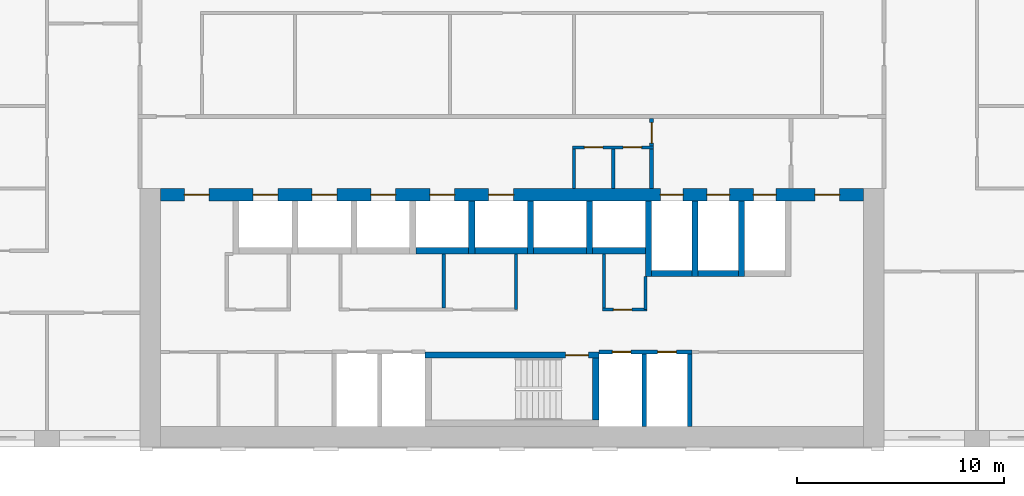
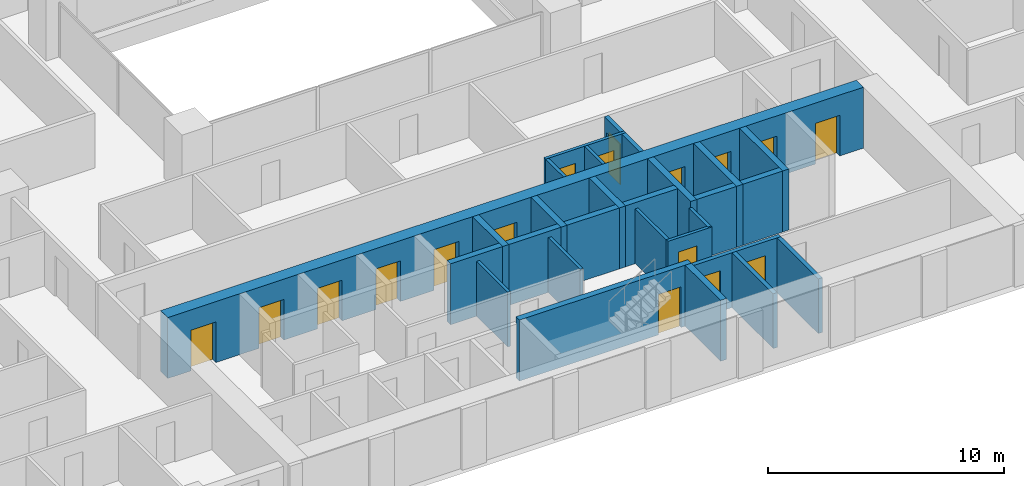
# One storey, part 11 of 20: 28 walls, 17 doors, 17 openings.
"""IFC4 building model written with IfcOpenShell, lengths in metres."""

from ifc_helpers import new_model, si_unit, direction, frame, frame_2d, origin, place, context, subcontext, project, spatial, rectangle, extrude, material, layer, layer_set, type_object, element, fill, save


model = new_model("IFC4")

# Units and contexts
model_context = context("Model", 3, precision=1e-05, world=origin(), true_north=direction((0.0, 1.0)))
body_context = subcontext(model_context, "Body", "Model", "MODEL_VIEW")
ifc_project = project(units=[si_unit("LENGTHUNIT", "METRE"), si_unit("AREAUNIT", "SQUARE_METRE"), si_unit("VOLUMEUNIT", "CUBIC_METRE"), si_unit("PLANEANGLEUNIT", "RADIAN"), si_unit("MASSUNIT", "GRAM", prefix="KILO")], contexts=[model_context])

# Site, building, storey
site_placement = place(None, origin())
site = spatial("IfcSite", under=ifc_project, at=site_placement, CompositionType="ELEMENT")
building_placement = place(site_placement, origin())
building = spatial("IfcBuilding", under=site, at=building_placement, Name="Brigalow Station Residences", CompositionType="ELEMENT")
storey_placement = place(building_placement, frame((0.0, 0.0, 54.14990234375)))
storey = spatial("IfcBuildingStorey", under=building, at=storey_placement, Name="L15", CompositionType="ELEMENT", Elevation=54.14990234375)

# Walls
ifc_material_1 = material(Name="Concrete C80", Category="concrete")
ifc_layer_1 = layer(ifc_material_1, 0.300048828125)
ifc_layer_set_1 = layer_set([ifc_layer_1], Name="CORE SHEAR WALL 300 C80")
wall_type_1 = type_object("IfcWallType", Name="CORE SHEAR WALL 300 C80", PredefinedType="SHEAR", material=ifc_layer_set_1)
wall_1_placement = place(storey_placement, frame((31.35009765625, 9.5, 0.0), z_axis=(0.0, 0.0, 1.0), x_axis=(1.0, 0.0, 0.0)))
element("IfcWall", 1, at=wall_1_placement, inside=storey, type_object=wall_type_1, Name="CORE WALL SH-P4-S L15", PredefinedType="SHEAR", context=body_context, shape_type="SweptSolid", body=[
    extrude(rectangle(XDim=2.5498046875, YDim=0.300048828125, at=frame_2d((1.27490234375, 0.0))), origin(), (0.0, 0.0, 1.0), 3.150146484375),
])
wall_2_placement = place(storey_placement, frame((34.199951171875, 9.5, 0.0), z_axis=(0.0, 0.0, 1.0), x_axis=(1.0, 0.0, 0.0)))
element("IfcWall", 2, at=wall_2_placement, inside=storey, type_object=wall_type_1, Name="CORE WALL SH-P5-S L15", PredefinedType="SHEAR", context=body_context, shape_type="SweptSolid", body=[
    extrude(rectangle(XDim=2.550048828125, YDim=0.300048828125, at=frame_2d((1.27490234375, 0.0))), origin(), (0.0, 0.0, 1.0), 3.150146484375),
])
wall_3_placement = place(storey_placement, frame((34.050048828125, 9.35009765625, 0.0), z_axis=(0.0, 0.0, 1.0), x_axis=(0.0, 1.0, 0.0)))
element("IfcWall", 3, at=wall_3_placement, inside=storey, type_object=wall_type_1, Name="CORE WALL SH-P5-W L15", PredefinedType="SHEAR", context=body_context, shape_type="SweptSolid", body=[
    extrude(rectangle(XDim=2.5498046875, YDim=0.300048828125, at=frame_2d((1.27490234375, 0.0))), origin(), (0.0, 0.0, 1.0), 3.150146484375),
])
wall_4_placement = place(storey_placement, frame((37.050048828125, 9.5, 0.0), z_axis=(0.0, 0.0, 1.0), x_axis=(1.0, 0.0, 0.0)))
element("IfcWall", 4, at=wall_4_placement, inside=storey, type_object=wall_type_1, Name="CORE WALL SH-X1-S L15", PredefinedType="SHEAR", context=body_context, shape_type="SweptSolid", body=[
    extrude(rectangle(XDim=2.550048828125, YDim=0.300048828125, at=frame_2d((1.27490234375, 0.0))), origin(), (0.0, 0.0, 1.0), 3.150146484375),
])
wall_5_placement = place(storey_placement, frame((36.89990234375, 9.35009765625, 0.0), z_axis=(0.0, 0.0, 1.0), x_axis=(0.0, 1.0, 0.0)))
element("IfcWall", 5, at=wall_5_placement, inside=storey, type_object=wall_type_1, Name="CORE WALL SH-X1-W L15", PredefinedType="SHEAR", context=body_context, shape_type="SweptSolid", body=[
    extrude(rectangle(XDim=2.5498046875, YDim=0.300048828125, at=frame_2d((1.27490234375, 0.0))), origin(), (0.0, 0.0, 1.0), 3.150146484375),
])
wall_6_placement = place(storey_placement, frame((39.89990234375, 9.5, 0.0), z_axis=(0.0, 0.0, 1.0), x_axis=(1.0, 0.0, 0.0)))
element("IfcWall", 6, at=wall_6_placement, inside=storey, type_object=wall_type_1, Name="CORE WALL SH-X2-S L15", PredefinedType="SHEAR", context=body_context, shape_type="SweptSolid", body=[
    extrude(rectangle(XDim=2.550048828125, YDim=0.300048828125, at=frame_2d((1.27490234375, 0.0))), origin(), (0.0, 0.0, 1.0), 3.150146484375),
])
wall_7_placement = place(storey_placement, frame((39.75, 9.35009765625, 0.0), z_axis=(0.0, 0.0, 1.0), x_axis=(0.0, 1.0, 0.0)))
element("IfcWall", 7, at=wall_7_placement, inside=storey, type_object=wall_type_1, Name="CORE WALL SH-X2-W L15", PredefinedType="SHEAR", context=body_context, shape_type="SweptSolid", body=[
    extrude(rectangle(XDim=2.5498046875, YDim=0.300048828125, at=frame_2d((1.27490234375, 0.0))), origin(), (0.0, 0.0, 1.0), 3.150146484375),
])
wall_8_placement = place(storey_placement, frame((42.75, 8.39990234375, 0.0), z_axis=(0.0, 0.0, 1.0), x_axis=(1.0, 0.0, 0.0)))
element("IfcWall", 8, at=wall_8_placement, inside=storey, type_object=wall_type_1, Name="CORE WALL SH-FF1-S L15", PredefinedType="SHEAR", context=body_context, shape_type="SweptSolid", body=[
    extrude(rectangle(XDim=1.949951171875, YDim=0.300048828125, at=frame_2d((0.97509765625, 0.0))), origin(), (0.0, 0.0, 1.0), 3.150146484375),
])
wall_9_placement = place(storey_placement, frame((42.60009765625, 8.25, 0.0), z_axis=(0.0, 0.0, 1.0), x_axis=(0.0, 1.0, 0.0)))
element("IfcWall", 9, at=wall_9_placement, inside=storey, type_object=wall_type_1, Name="CORE WALL SH-FF1-W L15", PredefinedType="SHEAR", context=body_context, shape_type="SweptSolid", body=[
    extrude(rectangle(XDim=3.64990234375, YDim=0.300048828125, at=frame_2d((1.824951171875, 0.0))), origin(), (0.0, 0.0, 1.0), 3.150146484375),
])
wall_10_placement = place(storey_placement, frame((45.0, 8.39990234375, 0.0), z_axis=(0.0, 0.0, 1.0), x_axis=(1.0, 0.0, 0.0)))
element("IfcWall", 10, at=wall_10_placement, inside=storey, type_object=wall_type_1, Name="CORE WALL SH-FF2-S L15", PredefinedType="SHEAR", context=body_context, shape_type="SweptSolid", body=[
    extrude(rectangle(XDim=1.949951171875, YDim=0.300048828125, at=frame_2d((0.97509765625, 0.0))), origin(), (0.0, 0.0, 1.0), 3.150146484375),
])
for number, where, z_axis, x_axis, name in (
    (11, (44.85009765625, 8.25, 0.0), (0.0, 0.0, 1.0), (0.0, 1.0, 0.0), "CORE WALL SH-FF2-W L15"),
    (12, (47.10009765625, 8.25, 0.0), (0.0, 0.0, 1.0), (0.0, 1.0, 0.0), "CORE WALL SH-SL1-W L15"),
):
    element("IfcWall", number, at=place(storey_placement, frame(where, z_axis=z_axis, x_axis=x_axis)), inside=storey, type_object=wall_type_1, Name=name, PredefinedType="SHEAR", context=body_context, shape_type="SweptSolid", body=[
        extrude(rectangle(XDim=3.64990234375, YDim=0.300048828125, at=frame_2d((1.824951171875, 0.0))), origin(), (0.0, 0.0, 1.0), 3.150146484375),
    ])

# Wall, opening, door
wall_11_placement = place(storey_placement, frame((31.800048828125, 4.449951171875, 0.0), z_axis=(0.0, 0.0, 1.0), x_axis=(1.0, 0.0, 0.0)))
wall_11 = element("IfcWall", 13, at=wall_11_placement, inside=storey, type_object=wall_type_1, Name="CORE WALL ST-S2-N L15", PredefinedType="SHEAR", context=body_context, shape_type="SweptSolid", body=[
    extrude(rectangle(XDim=8.39990234375, YDim=0.300048828125, at=frame_2d((4.199951171875, 0.0))), origin(), (0.0, 0.0, 1.0), 3.150146484375),
])
opening_1_placement = place(wall_11_placement, frame((6.800048828125, 0.0, 0.0)))
opening_1 = element("IfcOpeningElement", 14, at=opening_1_placement, cuts=wall_11, Name="Opening D-5001", PredefinedType="OPENING", context=body_context, shape_type="SweptSolid", body=[
    extrude(rectangle(XDim=1.10009765625, YDim=2.10009765625, at=frame_2d((0.550048828125, 1.050048828125))), frame((0.0, 0.16015625, 0.0), z_axis=(0.0, -1.0, 0.0), x_axis=(1.0, 0.0, 0.0)), (0.0, 0.0, 1.0), 0.320068359375),
])
ifc_material_2 = material(Name="Steel fire door leaf in steel frame", Category="steel")
door_type_1 = type_object("IfcDoorType", Name="STAIR DOOR 1100 x 2100 FD60S", OperationType="SINGLE_SWING_LEFT", PredefinedType="DOOR", material=ifc_material_2)
door_1_placement = place(opening_1_placement, frame((1.10009765625, 0.0, 0.0), z_axis=(0.0, 0.0, 1.0), x_axis=(-1.0, 0.0, 0.0)))
door_1 = element("IfcDoor", 15, at=door_1_placement, inside=storey, type_object=door_type_1, Name="D-5001", OperationType="SINGLE_SWING_LEFT", OverallHeight=2.10009765625, OverallWidth=1.10009765625, PredefinedType="DOOR", context=body_context, shape_type="SweptSolid", body=[
    extrude(rectangle(XDim=1.10009765625, YDim=2.10009765625, at=frame_2d((0.550048828125, 1.050048828125))), frame((0.0, 0.02490234375, 0.0), z_axis=(0.0, -1.0, 0.0), x_axis=(1.0, 0.0, 0.0)), (0.0, 0.0, 1.0), 0.050048828125),
])
fill(opening_1, door_1)

# Wall
wall_12_placement = place(storey_placement, frame((40.050048828125, 1.300048828125, 0.0), z_axis=(0.0, 0.0, 1.0), x_axis=(0.0, 1.0, 0.0)))
element("IfcWall", 16, at=wall_12_placement, inside=storey, type_object=wall_type_1, Name="CORE WALL ST-S2-E L15", PredefinedType="SHEAR", context=body_context, shape_type="SweptSolid", body=[
    extrude(rectangle(XDim=3.0, YDim=0.300048828125, at=frame_2d((1.5, 0.0))), origin(), (0.0, 0.0, 1.0), 3.150146484375),
])

# Wall, openings, doors
ifc_material_3 = material(Name="Concrete C80", Category="concrete")
ifc_layer_2 = layer(ifc_material_3, 0.60009765625)
ifc_layer_set_2 = layer_set([ifc_layer_2], Name="CORE SHEAR WALL 600 C80")
wall_type_2 = type_object("IfcWallType", Name="CORE SHEAR WALL 600 C80", PredefinedType="SHEAR", material=ifc_layer_set_2)
wall_13_placement = place(storey_placement, frame((19.0, 12.199951171875, 0.0), z_axis=(0.0, 0.0, 1.0), x_axis=(1.0, 0.0, 0.0)))
wall_13 = element("IfcWall", 17, at=wall_13_placement, inside=storey, type_object=wall_type_2, Name="CORE WALL OUT-N L15", PredefinedType="SHEAR", context=body_context, shape_type="SweptSolid", body=[
    extrude(rectangle(XDim=34.0, YDim=0.60009765625, at=frame_2d((17.0, 0.0))), origin(), (0.0, 0.0, 1.0), 3.150146484375),
])
opening_2_placement = place(wall_13_placement, frame((4.47509765625, 0.0, 0.0)))
opening_2 = element("IfcOpeningElement", 18, at=opening_2_placement, cuts=wall_13, Name="Opening LD-LA1", PredefinedType="OPENING", context=body_context, shape_type="SweptSolid", body=[
    extrude(rectangle(XDim=1.199951171875, YDim=2.10009765625, at=frame_2d((0.60009765625, 1.050048828125))), frame((0.0, 0.31005859375, 0.0), z_axis=(0.0, -1.0, 0.0), x_axis=(1.0, 0.0, 0.0)), (0.0, 0.0, 1.0), 0.6201171875),
])
opening_3_placement = place(wall_13_placement, frame((7.324951171875, 0.0, 0.0)))
opening_3 = element("IfcOpeningElement", 19, at=opening_3_placement, cuts=wall_13, Name="Opening LD-LA2", PredefinedType="OPENING", context=body_context, shape_type="SweptSolid", body=[
    extrude(rectangle(XDim=1.199951171875, YDim=2.10009765625, at=frame_2d((0.60009765625, 1.050048828125))), frame((0.0, 0.31005859375, 0.0), z_axis=(0.0, -1.0, 0.0), x_axis=(1.0, 0.0, 0.0)), (0.0, 0.0, 1.0), 0.6201171875),
])
opening_4_placement = place(wall_13_placement, frame((10.175048828125, 0.0, 0.0)))
opening_4 = element("IfcOpeningElement", 20, at=opening_4_placement, cuts=wall_13, Name="Opening LD-LA3", PredefinedType="OPENING", context=body_context, shape_type="SweptSolid", body=[
    extrude(rectangle(XDim=1.199951171875, YDim=2.10009765625, at=frame_2d((0.60009765625, 1.050048828125))), frame((0.0, 0.31005859375, 0.0), z_axis=(0.0, -1.0, 0.0), x_axis=(1.0, 0.0, 0.0)), (0.0, 0.0, 1.0), 0.6201171875),
])
opening_5_placement = place(wall_13_placement, frame((13.02490234375, 0.0, 0.0)))
opening_5 = element("IfcOpeningElement", 21, at=opening_5_placement, cuts=wall_13, Name="Opening LD-LA4", PredefinedType="OPENING", context=body_context, shape_type="SweptSolid", body=[
    extrude(rectangle(XDim=1.199951171875, YDim=2.10009765625, at=frame_2d((0.60009765625, 1.050048828125))), frame((0.0, 0.31005859375, 0.0), z_axis=(0.0, -1.0, 0.0), x_axis=(1.0, 0.0, 0.0)), (0.0, 0.0, 1.0), 0.6201171875),
])
opening_6_placement = place(wall_13_placement, frame((15.875, 0.0, 0.0)))
opening_6 = element("IfcOpeningElement", 22, at=opening_6_placement, cuts=wall_13, Name="Opening LD-LA5", PredefinedType="OPENING", context=body_context, shape_type="SweptSolid", body=[
    extrude(rectangle(XDim=1.199951171875, YDim=2.10009765625, at=frame_2d((0.60009765625, 1.050048828125))), frame((0.0, 0.31005859375, 0.0), z_axis=(0.0, -1.0, 0.0), x_axis=(1.0, 0.0, 0.0)), (0.0, 0.0, 1.0), 0.6201171875),
])
opening_7_placement = place(wall_13_placement, frame((24.175048828125, 0.0, 0.0)))
opening_7 = element("IfcOpeningElement", 23, at=opening_7_placement, cuts=wall_13, Name="Opening LD-LF1", PredefinedType="OPENING", context=body_context, shape_type="SweptSolid", body=[
    extrude(rectangle(XDim=1.10009765625, YDim=2.10009765625, at=frame_2d((0.550048828125, 1.050048828125))), frame((0.0, 0.31005859375, 0.0), z_axis=(0.0, -1.0, 0.0), x_axis=(1.0, 0.0, 0.0)), (0.0, 0.0, 1.0), 0.6201171875),
])
opening_8_placement = place(wall_13_placement, frame((26.425048828125, 0.0, 0.0)))
opening_8 = element("IfcOpeningElement", 24, at=opening_8_placement, cuts=wall_13, Name="Opening LD-LF2", PredefinedType="OPENING", context=body_context, shape_type="SweptSolid", body=[
    extrude(rectangle(XDim=1.10009765625, YDim=2.10009765625, at=frame_2d((0.550048828125, 1.050048828125))), frame((0.0, 0.31005859375, 0.0), z_axis=(0.0, -1.0, 0.0), x_axis=(1.0, 0.0, 0.0)), (0.0, 0.0, 1.0), 0.6201171875),
])
opening_9_placement = place(wall_13_placement, frame((28.675048828125, 0.0, 0.0)))
opening_9 = element("IfcOpeningElement", 25, at=opening_9_placement, cuts=wall_13, Name="Opening LD-LG1", PredefinedType="OPENING", context=body_context, shape_type="SweptSolid", body=[
    extrude(rectangle(XDim=1.10009765625, YDim=2.10009765625, at=frame_2d((0.550048828125, 1.050048828125))), frame((0.0, 0.31005859375, 0.0), z_axis=(0.0, -1.0, 0.0), x_axis=(1.0, 0.0, 0.0)), (0.0, 0.0, 1.0), 0.6201171875),
])
opening_10_placement = place(wall_13_placement, frame((1.14990234375, 0.0, 0.0)))
opening_10 = element("IfcOpeningElement", 26, at=opening_10_placement, cuts=wall_13, Name="Opening D-5011", PredefinedType="OPENING", context=body_context, shape_type="SweptSolid", body=[
    extrude(rectangle(XDim=1.199951171875, YDim=2.10009765625, at=frame_2d((0.60009765625, 1.050048828125))), frame((0.0, 0.31005859375, 0.0), z_axis=(0.0, -1.0, 0.0), x_axis=(1.0, 0.0, 0.0)), (0.0, 0.0, 1.0), 0.6201171875),
])
opening_11_placement = place(wall_13_placement, frame((31.64990234375, 0.0, 0.0)))
opening_11 = element("IfcOpeningElement", 27, at=opening_11_placement, cuts=wall_13, Name="Opening D-5012", PredefinedType="OPENING", context=body_context, shape_type="SweptSolid", body=[
    extrude(rectangle(XDim=1.199951171875, YDim=2.10009765625, at=frame_2d((0.60009765625, 1.050048828125))), frame((0.0, 0.31005859375, 0.0), z_axis=(0.0, -1.0, 0.0), x_axis=(1.0, 0.0, 0.0)), (0.0, 0.0, 1.0), 0.6201171875),
])
ifc_material_4 = material(Name="Steel fire door leaf in steel frame", Category="steel")
door_type_2 = type_object("IfcDoorType", Name="CORE CORRIDOR DOOR 1200 x 2100 FD60S", OperationType="SINGLE_SWING_LEFT", PredefinedType="DOOR", material=ifc_material_4)
door_2_placement = place(opening_10_placement, frame((1.199951171875, 0.0, 0.0), z_axis=(0.0, 0.0, 1.0), x_axis=(-1.0, 0.0, 0.0)))
door_2 = element("IfcDoor", 28, at=door_2_placement, inside=storey, type_object=door_type_2, Name="D-5011", OperationType="SINGLE_SWING_LEFT", OverallHeight=2.10009765625, OverallWidth=1.199951171875, PredefinedType="DOOR", context=body_context, shape_type="SweptSolid", body=[
    extrude(rectangle(XDim=1.199951171875, YDim=2.10009765625, at=frame_2d((0.60009765625, 1.050048828125))), frame((0.0, 0.02490234375, 0.0), z_axis=(0.0, -1.0, 0.0), x_axis=(1.0, 0.0, 0.0)), (0.0, 0.0, 1.0), 0.050048828125),
])
fill(opening_10, door_2)
door_3_placement = place(opening_11_placement, frame((1.199951171875, 0.0, 0.0), z_axis=(0.0, 0.0, 1.0), x_axis=(-1.0, 0.0, 0.0)))
door_3 = element("IfcDoor", 29, at=door_3_placement, inside=storey, type_object=door_type_2, Name="D-5012", OperationType="SINGLE_SWING_RIGHT", OverallHeight=2.10009765625, OverallWidth=1.199951171875, PredefinedType="DOOR", context=body_context, shape_type="SweptSolid", body=[
    extrude(rectangle(XDim=1.199951171875, YDim=2.10009765625, at=frame_2d((0.60009765625, 1.050048828125))), frame((0.0, 0.02490234375, 0.0), z_axis=(0.0, -1.0, 0.0), x_axis=(1.0, 0.0, 0.0)), (0.0, 0.0, 1.0), 0.050048828125),
])
fill(opening_11, door_3)
ifc_material_5 = material(Name="Stainless steel sliding door leaves", Category="steel")
door_type_3 = type_object("IfcDoorType", Name="LIFT LANDING DOOR 1100 x 2100", OperationType="DOUBLE_DOOR_SLIDING", PredefinedType="DOOR", material=ifc_material_5)
door_4_placement = place(opening_7_placement, origin())
door_4 = element("IfcDoor", 30, at=door_4_placement, inside=storey, type_object=door_type_3, Name="LANDING DOOR LF1", OperationType="DOUBLE_DOOR_SLIDING", OverallHeight=2.10009765625, OverallWidth=1.10009765625, PredefinedType="DOOR", context=body_context, shape_type="SweptSolid", body=[
    extrude(rectangle(XDim=1.10009765625, YDim=2.10009765625, at=frame_2d((0.550048828125, 1.050048828125))), frame((0.0, 0.02490234375, 0.0), z_axis=(0.0, -1.0, 0.0), x_axis=(1.0, 0.0, 0.0)), (0.0, 0.0, 1.0), 0.050048828125),
])
fill(opening_7, door_4)
door_5_placement = place(opening_8_placement, origin())
door_5 = element("IfcDoor", 31, at=door_5_placement, inside=storey, type_object=door_type_3, Name="LANDING DOOR LF2", OperationType="DOUBLE_DOOR_SLIDING", OverallHeight=2.10009765625, OverallWidth=1.10009765625, PredefinedType="DOOR", context=body_context, shape_type="SweptSolid", body=[
    extrude(rectangle(XDim=1.10009765625, YDim=2.10009765625, at=frame_2d((0.550048828125, 1.050048828125))), frame((0.0, 0.02490234375, 0.0), z_axis=(0.0, -1.0, 0.0), x_axis=(1.0, 0.0, 0.0)), (0.0, 0.0, 1.0), 0.050048828125),
])
fill(opening_8, door_5)
door_6_placement = place(opening_9_placement, origin())
door_6 = element("IfcDoor", 32, at=door_6_placement, inside=storey, type_object=door_type_3, Name="LANDING DOOR LG1", OperationType="DOUBLE_DOOR_SLIDING", OverallHeight=2.10009765625, OverallWidth=1.10009765625, PredefinedType="DOOR", context=body_context, shape_type="SweptSolid", body=[
    extrude(rectangle(XDim=1.10009765625, YDim=2.10009765625, at=frame_2d((0.550048828125, 1.050048828125))), frame((0.0, 0.02490234375, 0.0), z_axis=(0.0, -1.0, 0.0), x_axis=(1.0, 0.0, 0.0)), (0.0, 0.0, 1.0), 0.050048828125),
])
fill(opening_9, door_6)
ifc_material_6 = material(Name="Stainless steel sliding door leaves", Category="steel")
door_type_4 = type_object("IfcDoorType", Name="LIFT LANDING DOOR 1200 x 2100", OperationType="DOUBLE_DOOR_SLIDING", PredefinedType="DOOR", material=ifc_material_6)
door_7_placement = place(opening_2_placement, origin())
door_7 = element("IfcDoor", 33, at=door_7_placement, inside=storey, type_object=door_type_4, Name="LANDING DOOR LA1", OperationType="DOUBLE_DOOR_SLIDING", OverallHeight=2.10009765625, OverallWidth=1.199951171875, PredefinedType="DOOR", context=body_context, shape_type="SweptSolid", body=[
    extrude(rectangle(XDim=1.199951171875, YDim=2.10009765625, at=frame_2d((0.60009765625, 1.050048828125))), frame((0.0, 0.02490234375, 0.0), z_axis=(0.0, -1.0, 0.0), x_axis=(1.0, 0.0, 0.0)), (0.0, 0.0, 1.0), 0.050048828125),
])
fill(opening_2, door_7)
door_8_placement = place(opening_3_placement, origin())
door_8 = element("IfcDoor", 34, at=door_8_placement, inside=storey, type_object=door_type_4, Name="LANDING DOOR LA2", OperationType="DOUBLE_DOOR_SLIDING", OverallHeight=2.10009765625, OverallWidth=1.199951171875, PredefinedType="DOOR", context=body_context, shape_type="SweptSolid", body=[
    extrude(rectangle(XDim=1.199951171875, YDim=2.10009765625, at=frame_2d((0.60009765625, 1.050048828125))), frame((0.0, 0.02490234375, 0.0), z_axis=(0.0, -1.0, 0.0), x_axis=(1.0, 0.0, 0.0)), (0.0, 0.0, 1.0), 0.050048828125),
])
fill(opening_3, door_8)
door_9_placement = place(opening_4_placement, origin())
door_9 = element("IfcDoor", 35, at=door_9_placement, inside=storey, type_object=door_type_4, Name="LANDING DOOR LA3", OperationType="DOUBLE_DOOR_SLIDING", OverallHeight=2.10009765625, OverallWidth=1.199951171875, PredefinedType="DOOR", context=body_context, shape_type="SweptSolid", body=[
    extrude(rectangle(XDim=1.199951171875, YDim=2.10009765625, at=frame_2d((0.60009765625, 1.050048828125))), frame((0.0, 0.02490234375, 0.0), z_axis=(0.0, -1.0, 0.0), x_axis=(1.0, 0.0, 0.0)), (0.0, 0.0, 1.0), 0.050048828125),
])
fill(opening_4, door_9)
door_10_placement = place(opening_5_placement, origin())
door_10 = element("IfcDoor", 36, at=door_10_placement, inside=storey, type_object=door_type_4, Name="LANDING DOOR LA4", OperationType="DOUBLE_DOOR_SLIDING", OverallHeight=2.10009765625, OverallWidth=1.199951171875, PredefinedType="DOOR", context=body_context, shape_type="SweptSolid", body=[
    extrude(rectangle(XDim=1.199951171875, YDim=2.10009765625, at=frame_2d((0.60009765625, 1.050048828125))), frame((0.0, 0.02490234375, 0.0), z_axis=(0.0, -1.0, 0.0), x_axis=(1.0, 0.0, 0.0)), (0.0, 0.0, 1.0), 0.050048828125),
])
fill(opening_5, door_10)
door_11_placement = place(opening_6_placement, origin())
door_11 = element("IfcDoor", 37, at=door_11_placement, inside=storey, type_object=door_type_4, Name="LANDING DOOR LA5", OperationType="DOUBLE_DOOR_SLIDING", OverallHeight=2.10009765625, OverallWidth=1.199951171875, PredefinedType="DOOR", context=body_context, shape_type="SweptSolid", body=[
    extrude(rectangle(XDim=1.199951171875, YDim=2.10009765625, at=frame_2d((0.60009765625, 1.050048828125))), frame((0.0, 0.02490234375, 0.0), z_axis=(0.0, -1.0, 0.0), x_axis=(1.0, 0.0, 0.0)), (0.0, 0.0, 1.0), 0.050048828125),
])
fill(opening_6, door_11)

ifc_material_7 = material(Name="Concrete blockwork", Category="masonry")
ifc_layer_3 = layer(ifc_material_7, 0.199951171875)
ifc_layer_set_3 = layer_set([ifc_layer_3], Name="FIRE RATED CORE PARTITION 200")
wall_type_3 = type_object("IfcWallType", Name="FIRE RATED CORE PARTITION 200", PredefinedType="PARTITIONING", material=ifc_layer_set_3)
wall_14_placement = place(storey_placement, frame((40.199951171875, 4.60009765625, 0.0), z_axis=(0.0, 0.0, 1.0), x_axis=(1.0, 0.0, 0.0)))
wall_14 = element("IfcWall", 38, at=wall_14_placement, inside=storey, type_object=wall_type_3, Name="PW-5018", PredefinedType="PARTITIONING", context=body_context, shape_type="SweptSolid", body=[
    extrude(rectangle(XDim=4.5, YDim=0.199951171875, at=frame_2d((2.25, 0.0))), origin(), (0.0, 0.0, 1.0), 2.830078125),
])
opening_12_placement = place(wall_14_placement, frame((0.64990234375, 0.0, 0.0)))
opening_12 = element("IfcOpeningElement", 39, at=opening_12_placement, cuts=wall_14, Name="Opening D-5009", PredefinedType="OPENING", context=body_context, shape_type="SweptSolid", body=[
    extrude(rectangle(XDim=0.89990234375, YDim=2.10009765625, at=frame_2d((0.449951171875, 1.050048828125))), frame((0.0, 0.10986328125, 0.0), z_axis=(0.0, -1.0, 0.0), x_axis=(1.0, 0.0, 0.0)), (0.0, 0.0, 1.0), 0.219970703125),
])
opening_13_placement = place(wall_14_placement, frame((2.85009765625, 0.0, 0.0)))
opening_13 = element("IfcOpeningElement", 40, at=opening_13_placement, cuts=wall_14, Name="Opening D-5010", PredefinedType="OPENING", context=body_context, shape_type="SweptSolid", body=[
    extrude(rectangle(XDim=0.89990234375, YDim=2.10009765625, at=frame_2d((0.449951171875, 1.050048828125))), frame((0.0, 0.10986328125, 0.0), z_axis=(0.0, -1.0, 0.0), x_axis=(1.0, 0.0, 0.0)), (0.0, 0.0, 1.0), 0.219970703125),
])
ifc_material_8 = material(Name="Steel fire door leaf in steel frame", Category="steel")
door_type_5 = type_object("IfcDoorType", Name="RISER ACCESS DOOR 900 x 2100 FD120", OperationType="SINGLE_SWING_LEFT", PredefinedType="DOOR", material=ifc_material_8)
door_12_placement = place(opening_12_placement, frame((0.89990234375, 0.0, 0.0), z_axis=(0.0, 0.0, 1.0), x_axis=(-1.0, 0.0, 0.0)))
door_12 = element("IfcDoor", 41, at=door_12_placement, inside=storey, type_object=door_type_5, Name="D-5009", OperationType="SINGLE_SWING_LEFT", OverallHeight=2.10009765625, OverallWidth=0.89990234375, PredefinedType="DOOR", context=body_context, shape_type="SweptSolid", body=[
    extrude(rectangle(XDim=0.89990234375, YDim=2.10009765625, at=frame_2d((0.449951171875, 1.050048828125))), frame((0.0, 0.02490234375, 0.0), z_axis=(0.0, -1.0, 0.0), x_axis=(1.0, 0.0, 0.0)), (0.0, 0.0, 1.0), 0.050048828125),
])
fill(opening_12, door_12)
door_13_placement = place(opening_13_placement, frame((0.89990234375, 0.0, 0.0), z_axis=(0.0, 0.0, 1.0), x_axis=(-1.0, 0.0, 0.0)))
door_13 = element("IfcDoor", 42, at=door_13_placement, inside=storey, type_object=door_type_5, Name="D-5010", OperationType="SINGLE_SWING_LEFT", OverallHeight=2.10009765625, OverallWidth=0.89990234375, PredefinedType="DOOR", context=body_context, shape_type="SweptSolid", body=[
    extrude(rectangle(XDim=0.89990234375, YDim=2.10009765625, at=frame_2d((0.449951171875, 1.050048828125))), frame((0.0, 0.02490234375, 0.0), z_axis=(0.0, -1.0, 0.0), x_axis=(1.0, 0.0, 0.0)), (0.0, 0.0, 1.0), 0.050048828125),
])
fill(opening_13, door_13)

# Walls
for number, where, z_axis, x_axis, name in (
    (43, (42.39990234375, 1.0, 0.0), (0.0, 0.0, 1.0), (0.0, 1.0, 0.0), "PW-5007"),
    (44, (44.60009765625, 1.0, 0.0), (0.0, 0.0, 1.0), (0.0, 1.0, 0.0), "PW-5008"),
):
    element("IfcWall", number, at=place(storey_placement, frame(where, z_axis=z_axis, x_axis=x_axis)), inside=storey, type_object=wall_type_3, Name=name, PredefinedType="PARTITIONING", context=body_context, shape_type="SweptSolid", body=[
        extrude(rectangle(XDim=3.5, YDim=0.199951171875, at=frame_2d((1.75, 0.0))), origin(), (0.0, 0.0, 1.0), 2.830078125),
    ])
wall_15_placement = place(storey_placement, frame((42.75, 12.5, 0.0), z_axis=(0.0, 0.0, 1.0), x_axis=(0.0, 1.0, 0.0)))
element("IfcWall", 45, at=wall_15_placement, inside=storey, type_object=wall_type_3, Name="PW-5046", PredefinedType="PARTITIONING", context=body_context, shape_type="SweptSolid", body=[
    extrude(rectangle(XDim=1.925048828125, YDim=0.199951171875, at=frame_2d((0.96240234375, 0.0))), origin(), (0.0, 0.0, 1.0), 2.830078125),
])

# Wall, opening, door
wall_16_placement = place(storey_placement, frame((42.75, 14.574951171875, 0.0), z_axis=(0.0, 0.0, 1.0), x_axis=(0.0, 1.0, 0.0)))
wall_16 = element("IfcWall", 46, at=wall_16_placement, inside=storey, type_object=wall_type_3, Name="PW-5047", PredefinedType="PARTITIONING", context=body_context, shape_type="SweptSolid", body=[
    extrude(rectangle(XDim=1.324951171875, YDim=0.199951171875, at=frame_2d((0.66259765625, 0.0))), origin(), (0.0, 0.0, 1.0), 2.830078125),
])
opening_14_placement = place(wall_16_placement, frame((0.125, 0.0, 0.0)))
opening_14 = element("IfcOpeningElement", 47, at=opening_14_placement, cuts=wall_16, Name="Opening D-5013", PredefinedType="OPENING", context=body_context, shape_type="SweptSolid", body=[
    extrude(rectangle(XDim=1.0, YDim=2.10009765625, at=frame_2d((0.5, 1.050048828125))), frame((0.0, 0.10986328125, 0.0), z_axis=(0.0, -1.0, 0.0), x_axis=(1.0, 0.0, 0.0)), (0.0, 0.0, 1.0), 0.219970703125),
])
ifc_material_9 = material(Name="Steel fire door leaf in steel frame", Category="steel")
door_type_6 = type_object("IfcDoorType", Name="LOBBY DOOR 1000 x 2100 FD60S", OperationType="SINGLE_SWING_LEFT", PredefinedType="DOOR", material=ifc_material_9)
door_14_placement = place(opening_14_placement, origin())
door_14 = element("IfcDoor", 48, at=door_14_placement, inside=storey, type_object=door_type_6, Name="D-5013", OperationType="SINGLE_SWING_LEFT", OverallHeight=2.10009765625, OverallWidth=1.0, PredefinedType="DOOR", context=body_context, shape_type="SweptSolid", body=[
    extrude(rectangle(XDim=1.0, YDim=2.10009765625, at=frame_2d((0.5, 1.050048828125))), frame((0.0, 0.02490234375, 0.0), z_axis=(0.0, -1.0, 0.0), x_axis=(1.0, 0.0, 0.0)), (0.0, 0.0, 1.0), 0.050048828125),
])
fill(opening_14, door_14)

ifc_material_10 = material(Name="Plasterboard on steel studs", Category="steel")
ifc_layer_4 = layer(ifc_material_10, 0.14990234375)
ifc_layer_set_4 = layer_set([ifc_layer_4], Name="SERVICE ROOM PARTITION 150")
wall_type_4 = type_object("IfcWallType", Name="SERVICE ROOM PARTITION 150", PredefinedType="PARTITIONING", material=ifc_layer_set_4)
wall_17_placement = place(storey_placement, frame((40.375, 6.64990234375, 0.0), z_axis=(0.0, 0.0, 1.0), x_axis=(1.0, 0.0, 0.0)))
wall_17 = element("IfcWall", 49, at=wall_17_placement, inside=storey, type_object=wall_type_4, Name="PW-5128", PredefinedType="PARTITIONING", context=body_context, shape_type="SweptSolid", body=[
    extrude(rectangle(XDim=2.14990234375, YDim=0.14990234375, at=frame_2d((1.074951171875, 0.0))), origin(), (0.0, 0.0, 1.0), 2.830078125),
])
opening_15_placement = place(wall_17_placement, frame((0.52490234375, 0.0, 0.0)))
opening_15 = element("IfcOpeningElement", 50, at=opening_15_placement, cuts=wall_17, Name="Opening D-5034", PredefinedType="OPENING", context=body_context, shape_type="SweptSolid", body=[
    extrude(rectangle(XDim=0.89990234375, YDim=2.10009765625, at=frame_2d((0.449951171875, 1.050048828125))), frame((0.0, 0.0849609375, 0.0), z_axis=(0.0, -1.0, 0.0), x_axis=(1.0, 0.0, 0.0)), (0.0, 0.0, 1.0), 0.169921875),
])
ifc_material_11 = material(Name="Steel door leaf in steel frame", Category="steel")
door_type_7 = type_object("IfcDoorType", Name="SERVICE ROOM DOOR 900 x 2100 FD60", OperationType="SINGLE_SWING_LEFT", PredefinedType="DOOR", material=ifc_material_11)
door_15_placement = place(opening_15_placement, origin())
door_15 = element("IfcDoor", 51, at=door_15_placement, inside=storey, type_object=door_type_7, Name="D-5034", OperationType="SINGLE_SWING_LEFT", OverallHeight=2.10009765625, OverallWidth=0.89990234375, PredefinedType="DOOR", context=body_context, shape_type="SweptSolid", body=[
    extrude(rectangle(XDim=0.89990234375, YDim=2.10009765625, at=frame_2d((0.449951171875, 1.050048828125))), frame((0.0, 0.02490234375, 0.0), z_axis=(0.0, -1.0, 0.0), x_axis=(1.0, 0.0, 0.0)), (0.0, 0.0, 1.0), 0.050048828125),
])
fill(opening_15, door_15)

# Wall, openings, doors
wall_18_placement = place(storey_placement, frame((38.925048828125, 14.5, 0.0), z_axis=(0.0, 0.0, 1.0), x_axis=(1.0, 0.0, 0.0)))
wall_18 = element("IfcWall", 52, at=wall_18_placement, inside=storey, type_object=wall_type_4, Name="PW-5129", PredefinedType="PARTITIONING", context=body_context, shape_type="SweptSolid", body=[
    extrude(rectangle(XDim=3.925048828125, YDim=0.14990234375, at=frame_2d((1.96240234375, 0.0))), origin(), (0.0, 0.0, 1.0), 2.830078125),
])
opening_16_placement = place(wall_18_placement, frame((0.574951171875, 0.0, 0.0)))
opening_16 = element("IfcOpeningElement", 53, at=opening_16_placement, cuts=wall_18, Name="Opening D-5077", PredefinedType="OPENING", context=body_context, shape_type="SweptSolid", body=[
    extrude(rectangle(XDim=0.89990234375, YDim=2.10009765625, at=frame_2d((0.449951171875, 1.050048828125))), frame((0.0, 0.0849609375, 0.0), z_axis=(0.0, -1.0, 0.0), x_axis=(1.0, 0.0, 0.0)), (0.0, 0.0, 1.0), 0.169921875),
])
opening_17_placement = place(wall_18_placement, frame((2.449951171875, 0.0, 0.0)))
opening_17 = element("IfcOpeningElement", 54, at=opening_17_placement, cuts=wall_18, Name="Opening D-5078", PredefinedType="OPENING", context=body_context, shape_type="SweptSolid", body=[
    extrude(rectangle(XDim=0.89990234375, YDim=2.10009765625, at=frame_2d((0.449951171875, 1.050048828125))), frame((0.0, 0.0849609375, 0.0), z_axis=(0.0, -1.0, 0.0), x_axis=(1.0, 0.0, 0.0)), (0.0, 0.0, 1.0), 0.169921875),
])
door_16_placement = place(opening_16_placement, frame((0.89990234375, 0.0, 0.0), z_axis=(0.0, 0.0, 1.0), x_axis=(-1.0, 0.0, 0.0)))
door_16 = element("IfcDoor", 55, at=door_16_placement, inside=storey, type_object=door_type_7, Name="D-5077", OperationType="SINGLE_SWING_RIGHT", OverallHeight=2.10009765625, OverallWidth=0.89990234375, PredefinedType="DOOR", context=body_context, shape_type="SweptSolid", body=[
    extrude(rectangle(XDim=0.89990234375, YDim=2.10009765625, at=frame_2d((0.449951171875, 1.050048828125))), frame((0.0, 0.02490234375, 0.0), z_axis=(0.0, -1.0, 0.0), x_axis=(1.0, 0.0, 0.0)), (0.0, 0.0, 1.0), 0.050048828125),
])
fill(opening_16, door_16)
door_17_placement = place(opening_17_placement, frame((0.89990234375, 0.0, 0.0), z_axis=(0.0, 0.0, 1.0), x_axis=(-1.0, 0.0, 0.0)))
door_17 = element("IfcDoor", 56, at=door_17_placement, inside=storey, type_object=door_type_7, Name="D-5078", OperationType="SINGLE_SWING_LEFT", OverallHeight=2.10009765625, OverallWidth=0.89990234375, PredefinedType="DOOR", context=body_context, shape_type="SweptSolid", body=[
    extrude(rectangle(XDim=0.89990234375, YDim=2.10009765625, at=frame_2d((0.449951171875, 1.050048828125))), frame((0.0, 0.02490234375, 0.0), z_axis=(0.0, -1.0, 0.0), x_axis=(1.0, 0.0, 0.0)), (0.0, 0.0, 1.0), 0.050048828125),
])
fill(opening_17, door_17)

# Walls
wall_19_placement = place(storey_placement, frame((36.199951171875, 6.64990234375, 0.0), z_axis=(0.0, 0.0, 1.0), x_axis=(0.0, 1.0, 0.0)))
element("IfcWall", 57, at=wall_19_placement, inside=storey, type_object=wall_type_4, Name="PW-5145", PredefinedType="PARTITIONING", context=body_context, shape_type="SweptSolid", body=[
    extrude(rectangle(XDim=2.7001953125, YDim=0.14990234375, at=frame_2d((1.35009765625, 0.0))), origin(), (0.0, 0.0, 1.0), 2.830078125),
])
wall_20_placement = place(storey_placement, frame((42.449951171875, 6.64990234375, 0.0), z_axis=(0.0, 0.0, 1.0), x_axis=(0.0, 1.0, 0.0)))
element("IfcWall", 58, at=wall_20_placement, inside=storey, type_object=wall_type_4, Name="PW-5029", PredefinedType="PARTITIONING", context=body_context, shape_type="SweptSolid", body=[
    extrude(rectangle(XDim=1.60009765625, YDim=0.14990234375, at=frame_2d((0.800048828125, 0.0))), origin(), (0.0, 0.0, 1.0), 2.830078125),
])
for number, where, z_axis, x_axis, name in (
    (59, (32.699951171875, 6.72509765625, 0.0), (0.0, 0.0, 1.0), (0.0, 1.0, 0.0), "PW-5135"),
    (60, (40.449951171875, 6.72509765625, 0.0), (0.0, 0.0, 1.0), (0.0, 1.0, 0.0), "PW-5044"),
):
    element("IfcWall", number, at=place(storey_placement, frame(where, z_axis=z_axis, x_axis=x_axis)), inside=storey, type_object=wall_type_4, Name=name, PredefinedType="PARTITIONING", context=body_context, shape_type="SweptSolid", body=[
        extrude(rectangle(XDim=2.625, YDim=0.14990234375, at=frame_2d((1.3125, 0.0))), origin(), (0.0, 0.0, 1.0), 2.830078125),
    ])
for number, where, z_axis, x_axis, name in (
    (61, (39.0, 12.5, 0.0), (0.0, 0.0, 1.0), (0.0, 1.0, 0.0), "PW-5136"),
    (62, (40.89990234375, 12.5, 0.0), (0.0, 0.0, 1.0), (0.0, 1.0, 0.0), "PW-5137"),
):
    element("IfcWall", number, at=place(storey_placement, frame(where, z_axis=z_axis, x_axis=x_axis)), inside=storey, type_object=wall_type_4, Name=name, PredefinedType="PARTITIONING", context=body_context, shape_type="SweptSolid", body=[
        extrude(rectangle(XDim=1.925048828125, YDim=0.14990234375, at=frame_2d((0.96240234375, 0.0))), origin(), (0.0, 0.0, 1.0), 2.830078125),
    ])

save(model, "model.ifc")
